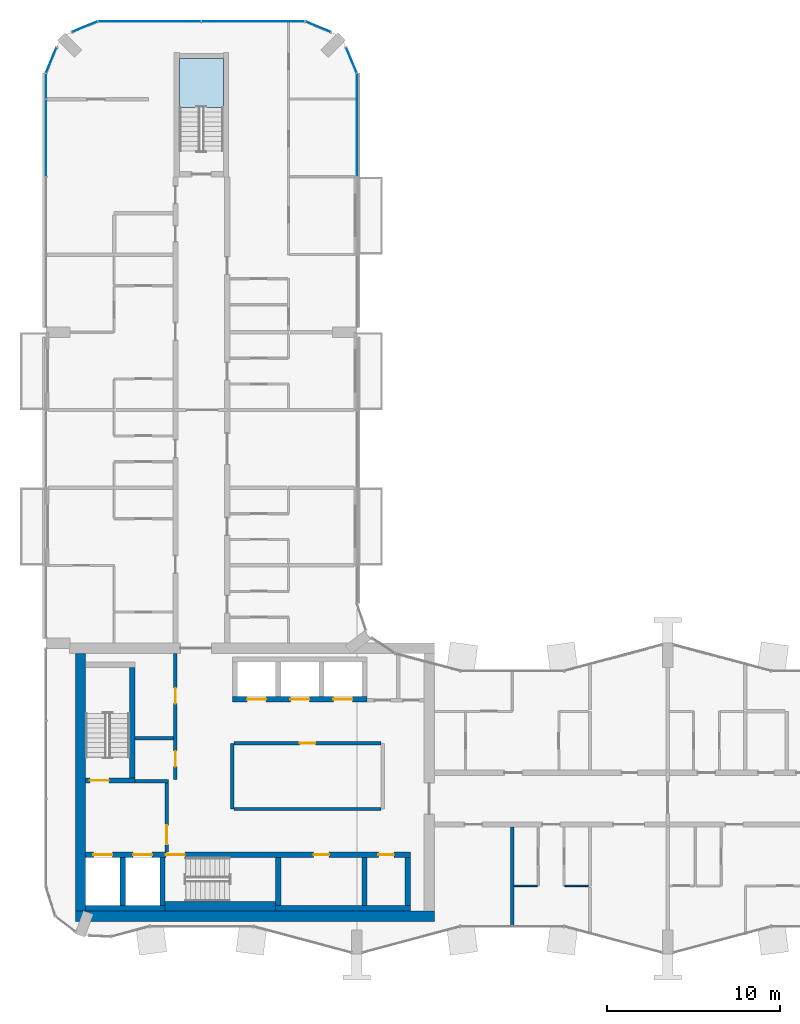
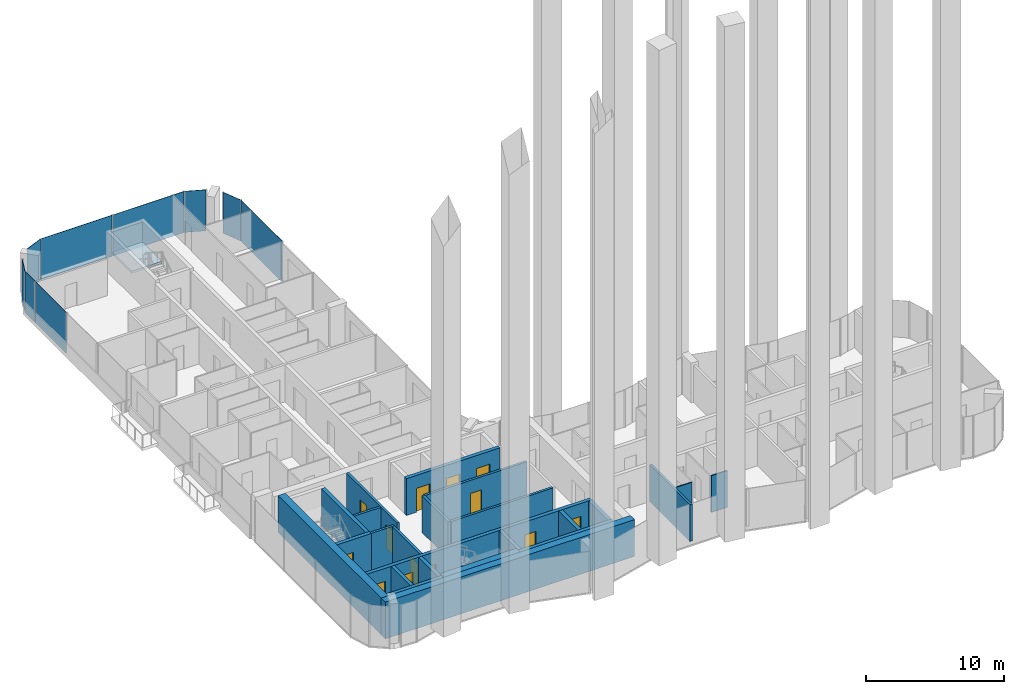
# One storey, part 9 of 18: 24 walls, 13 doors, 9 plates, 1 slab, 13 openings, 8 elements without a shape of their own.
"""IFC4 building model written with IfcOpenShell, lengths in metres."""

import ifcopenshell
import ifcopenshell.guid

model = None  # the IFC model being written
_history = None  # IfcOwnerHistory: only IFC2X3 demands one
_inside = {}  # id of a spatial element -> (the spatial element, [elements in it])
_under = {}  # id of a project, library or spatial element -> (it, [spatial elements below it])
_declared = {}  # id of a project -> (the project, [libraries it declares])
_typed = {}  # id of a type object -> (the type object, [elements of that type])
_made_of = {}  # id of a material, layer set ... -> (it, [elements and type objects made of it])


def new_model(schema):
    """Start an empty IFC model of exactly this schema.

    Asked for "IFC4X3", IfcOpenShell would pick the latest addendum, in which some entities
    have other attributes; the version numbers below select the first issue.
    IFC2X3 requires an IfcOwnerHistory on every rooted entity: one is made here for all.
    """
    global model, _history
    if schema == "IFC4X3":
        model = ifcopenshell.file(schema_version=(4, 3, 0, 0))
    else:
        model = ifcopenshell.file(schema=schema)
    _inside.clear()
    _under.clear()
    _declared.clear()
    _typed.clear()
    _made_of.clear()
    _history = None
    if model.schema == "IFC2X3":
        org = make("IfcOrganization", Name="unknown")
        user = make(
            "IfcPersonAndOrganization",
            ThePerson=make("IfcPerson", FamilyName="unknown"),
            TheOrganization=org,
        )
        app = make(
            "IfcApplication",
            ApplicationDeveloper=org,
            Version="unknown",
            ApplicationFullName="unknown",
            ApplicationIdentifier="unknown",
        )
        _history = make(
            "IfcOwnerHistory",
            OwningUser=user,
            OwningApplication=app,
            ChangeAction="ADDED",
            CreationDate=0,
        )
    return model


def make(cls, **values):
    """One entity of the class cls with the attributes given. An attribute that is None is left unset."""
    return model.create_entity(
        cls, **{name: value for name, value in values.items() if value is not None}
    )


def rooted(cls, **values):
    """An entity with a GlobalId (a new one), such as an element, a storey or a relation."""
    return make(cls, GlobalId=ifcopenshell.guid.new(), OwnerHistory=_history, **values)


def si_unit(unit_type, name, prefix=None):
    """IfcSIUnit, for example si_unit("LENGTHUNIT", "METRE", prefix="MILLI")."""
    return make("IfcSIUnit", UnitType=unit_type, Prefix=prefix, Name=name)


def assignment(units):
    """IfcUnitAssignment: the units of a project."""
    return None if units is None else make("IfcUnitAssignment", Units=units)


def point(xyz):
    """IfcCartesianPoint."""
    return None if xyz is None else make("IfcCartesianPoint", Coordinates=xyz)


def direction(xyz):
    """IfcDirection."""
    return None if xyz is None else make("IfcDirection", DirectionRatios=xyz)


def frame(location, z_axis=None, x_axis=None):
    """IfcAxis2Placement3D, a coordinate frame: its origin and axes. An axis left out is left unset."""
    return make(
        "IfcAxis2Placement3D",
        Location=point(location),
        Axis=direction(z_axis),
        RefDirection=direction(x_axis),
    )


def frame_2d(location, x_axis=None):
    """IfcAxis2Placement2D, a coordinate frame in the plane: its origin and x axis."""
    return make(
        "IfcAxis2Placement2D", Location=point(location), RefDirection=direction(x_axis)
    )


def origin():
    """The frame at (0, 0, 0) with its axes left unset."""
    return frame((0.0, 0.0, 0.0))


def origin_2d():
    """The frame at (0, 0) in the plane with its x axis left unset."""
    return frame_2d((0.0, 0.0))


def place(relative_to, where):
    """IfcLocalPlacement: puts the frame where relative to a parent placement (None: the world)."""
    return make(
        "IfcLocalPlacement", PlacementRelTo=relative_to, RelativePlacement=where
    )


def context(
    kind, dimensions, precision=None, world=None, true_north=None, identifier=None
):
    """IfcGeometricRepresentationContext, for example the 3D "Model" context."""
    return make(
        "IfcGeometricRepresentationContext",
        ContextIdentifier=identifier,
        ContextType=kind,
        CoordinateSpaceDimension=dimensions,
        Precision=precision,
        WorldCoordinateSystem=world,
        TrueNorth=true_north,
    )


def subcontext(parent, identifier, kind, view, scale=None):
    """IfcGeometricRepresentationSubContext, for example "Body" below "Model"."""
    return make(
        "IfcGeometricRepresentationSubContext",
        ContextIdentifier=identifier,
        ContextType=kind,
        ParentContext=parent,
        TargetScale=scale,
        TargetView=view,
    )


def project(units=None, contexts=None):
    """IfcProject with its units and contexts."""
    return rooted(
        "IfcProject",
        Name="project",
        RepresentationContexts=contexts,
        UnitsInContext=assignment(units),
    )


def spatial(cls, under=None, at=None, **own):
    """A site, building, storey or space (cls), placed at a placement, below another one or the project."""
    s = rooted(cls, ObjectPlacement=at, **own)
    if under is not None:
        _under.setdefault(under.id(), (under, []))[1].append(s)
    return s


def polyline(points):
    """IfcPolyline through the points."""
    return make("IfcPolyline", Points=[point(p) for p in points])


def profile(cls, at=None, kind="AREA", **sizes):
    """A parametric profile (cls). Its sizes go by their IFC names, for example OverallWidth=200.0."""
    return make(cls, ProfileType=kind, Position=at, **sizes)


def rectangle(**sizes):
    """IfcRectangleProfileDef."""
    return profile("IfcRectangleProfileDef", **sizes)


def outline(outer, holes=None, kind="AREA"):
    """IfcArbitraryClosedProfileDef: a profile drawn as a closed curve; with holes, ...WithVoids."""
    if holes is None:
        return make("IfcArbitraryClosedProfileDef", ProfileType=kind, OuterCurve=outer)
    return make(
        "IfcArbitraryProfileDefWithVoids",
        ProfileType=kind,
        OuterCurve=outer,
        InnerCurves=holes,
    )


def extrude(swept, where, along, depth):
    """IfcExtrudedAreaSolid: the profile swept, set in the frame where, extruded along a direction by depth."""
    return make(
        "IfcExtrudedAreaSolid",
        SweptArea=swept,
        Position=where,
        ExtrudedDirection=direction(along),
        Depth=depth,
    )


def shape(context_of_items, identifier, shape_type, items):
    """IfcShapeRepresentation: the items that make up one representation, for example the "Body"."""
    return make(
        "IfcShapeRepresentation",
        ContextOfItems=context_of_items,
        RepresentationIdentifier=identifier,
        RepresentationType=shape_type,
        Items=items,
    )


def material(Name=None, Category=None):
    """IfcMaterial."""
    return make("IfcMaterial", Name=Name, Category=Category)


def layer(
    of_material, thickness, ventilated=None, Name=None, Category=None, Priority=None
):
    """IfcMaterialLayer: one layer of a wall or slab, of a material (None: an air gap)."""
    return make(
        "IfcMaterialLayer",
        Material=of_material,
        LayerThickness=thickness,
        IsVentilated=ventilated,
        Name=Name,
        Category=Category,
        Priority=Priority,
    )


def layer_set(layers, Name=None):
    """IfcMaterialLayerSet."""
    return make("IfcMaterialLayerSet", MaterialLayers=layers, LayerSetName=Name)


def made_of(thing, what):
    """Note that an element or type object is made of a material, layer set ...; save() writes the relation."""
    if what is not None:
        _made_of.setdefault(what.id(), (what, []))[1].append(thing)
    return thing


def type_object(cls, material=None, **own):
    """A type object (cls), such as IfcWallType, which elements share."""
    return made_of(rooted(cls, **own), material)


def element(
    cls,
    number,
    at=None,
    inside=None,
    cuts=None,
    type_object=None,
    material=None,
    context=None,
    identifier="Body",
    shape_type=None,
    held_by="IfcProductDefinitionShape",
    body=None,
    shapes=None,
    **own,
):
    """One element of the class cls, such as IfcWall. Its Tag is "e" and its number.

    at: its placement. inside: the storey or other place that contains it. cuts: it is an
    opening in that element (IfcRelVoidsElement). A single representation is given by context,
    identifier, shape_type and body (its items); several are given by shapes. held_by: the class
    of the entity that holds the representations. save() writes the other relations.
    """
    e = rooted(cls, Tag="e%d" % number, ObjectPlacement=at, **own)
    if body is not None:
        shapes = [shape(context, identifier, shape_type, body)]
    if shapes is not None:
        e.Representation = make(held_by, Representations=shapes)
    if inside is not None:
        _inside.setdefault(inside.id(), (inside, []))[1].append(e)
    if cuts is not None:
        rooted(
            "IfcRelVoidsElement", RelatingBuildingElement=cuts, RelatedOpeningElement=e
        )
    if type_object is not None:
        _typed.setdefault(type_object.id(), (type_object, []))[1].append(e)
    return made_of(e, material)


def fill(opening, filler):
    """IfcRelFillsElement: the door or window that sits in an opening."""
    return rooted(
        "IfcRelFillsElement",
        RelatingOpeningElement=opening,
        RelatedBuildingElement=filler,
    )


def aggregate(whole, parts):
    """IfcRelAggregates: a whole, such as a stair, and the parts it consists of."""
    return rooted("IfcRelAggregates", RelatingObject=whole, RelatedObjects=parts)


def save(model, path):
    """Write the relations noted so far, then the file.

    IfcRelAggregates (storeys below a building ...), IfcRelContainedInSpatialStructure (elements
    in a storey), IfcRelDefinesByType, IfcRelAssociatesMaterial and IfcRelDeclares: one each for
    every whole, place, type object, material and project.
    """
    for whole, parts in _under.values():
        aggregate(whole, parts)
    for where, things in _inside.values():
        rooted(
            "IfcRelContainedInSpatialStructure",
            RelatedElements=things,
            RelatingStructure=where,
        )
    for kind, things in _typed.values():
        rooted("IfcRelDefinesByType", RelatedObjects=things, RelatingType=kind)
    for what, things in _made_of.values():
        rooted("IfcRelAssociatesMaterial", RelatedObjects=things, RelatingMaterial=what)
    for by, libraries in _declared.values():
        rooted("IfcRelDeclares", RelatingContext=by, RelatedDefinitions=libraries)
    model.write(path)


model = new_model("IFC4")

# Units and contexts
model_context = context("Model", 3, precision=1e-05, world=origin(), true_north=direction((0.0, 1.0)))
body_context = subcontext(model_context, "Body", "Model", "MODEL_VIEW")
ifc_project = project(units=[si_unit("LENGTHUNIT", "METRE"), si_unit("AREAUNIT", "SQUARE_METRE"), si_unit("VOLUMEUNIT", "CUBIC_METRE"), si_unit("PLANEANGLEUNIT", "RADIAN"), si_unit("MASSUNIT", "GRAM", prefix="KILO")], contexts=[model_context])

# Site, building, storey
site_placement = place(None, origin())
site = spatial("IfcSite", under=ifc_project, at=site_placement, CompositionType="ELEMENT")
building_placement = place(site_placement, origin())
building = spatial("IfcBuilding", under=site, at=building_placement, Name="Plateau Cross Towers", CompositionType="ELEMENT")
storey_placement = place(building_placement, frame((0.0, 0.0, 139.39990234375)))
storey = spatial("IfcBuildingStorey", under=building, at=storey_placement, Name="L35", CompositionType="ELEMENT", Elevation=139.39990234375)

# Curtain wall, plate
ifc_material_1 = material(Name="Dark low-iron glass", Category="glass")
ifc_layer_1 = layer(ifc_material_1, 0.239990234375)
ifc_layer_set_1 = layer_set([ifc_layer_1], Name="Dark low-iron glass")
curtain_wall_type = type_object("IfcCurtainWallType", Name="Curtain wall flush unitised CW-B", PredefinedType="NOTDEFINED", material=ifc_layer_set_1)
curtain_wall_1_placement = place(storey_placement, origin())
curtain_wall_1 = element("IfcCurtainWall", 1, at=curtain_wall_1_placement, inside=storey, type_object=curtain_wall_type, Name="ENV/A/L35/A180_450", PredefinedType="NOTDEFINED")
ifc_layer_2 = layer(ifc_material_1, 0.031982421875)
ifc_layer_set_2 = layer_set([ifc_layer_2], Name="Dark low-iron glass")
plate_type = type_object("IfcPlateType", Name="Glass panel 32 flush unitised", PredefinedType="CURTAIN_PANEL", material=ifc_layer_set_2)
plate_1_placement = place(storey_placement, frame((18.0, 48.0048828125, -0.3798828125), z_axis=(0.0, 0.0, 1.0), x_axis=(0.0, 1.0, 0.0)))
plate_1 = element("IfcPlate", 2, at=plate_1_placement, type_object=plate_type, Name="CW-B panel 1", PredefinedType="CURTAIN_PANEL", context=body_context, shape_type="SweptSolid", body=[
    extrude(rectangle(XDim=5.929931640625, YDim=0.031982421875, at=origin_2d()), origin(), (0.0, 0.0, 1.0), 3.6298828125),
])
aggregate(curtain_wall_1, [plate_1])

curtain_wall_2_placement = place(storey_placement, origin())
curtain_wall_2 = element("IfcCurtainWall", 3, at=curtain_wall_2_placement, inside=storey, type_object=curtain_wall_type, Name="ENV/A/L35/A180_510", PredefinedType="NOTDEFINED")
plate_2_placement = place(storey_placement, frame((17.688232421875, 51.7529296875, -0.3798828125), z_axis=(0.0, 0.0, 1.0), x_axis=(-0.382683612978, 0.923879457699, 0.0)))
plate_2 = element("IfcPlate", 4, at=plate_2_placement, type_object=plate_type, Name="CW-B panel 1", PredefinedType="CURTAIN_PANEL", context=body_context, shape_type="SweptSolid", body=[
    extrude(rectangle(XDim=1.570068359375, YDim=0.031982421875, at=origin_2d()), origin(), (0.0, 0.0, 1.0), 3.6298828125),
])
aggregate(curtain_wall_2, [plate_2])

curtain_wall_3_placement = place(storey_placement, origin())
curtain_wall_3 = element("IfcCurtainWall", 5, at=curtain_wall_3_placement, inside=storey, type_object=curtain_wall_type, Name="ENV/A/L35/A165_534", PredefinedType="NOTDEFINED")
plate_3_placement = place(storey_placement, frame((15.7529296875, 53.688232421875, -0.3798828125), z_axis=(0.0, 0.0, 1.0), x_axis=(-0.923879457699, 0.382683612978, 0.0)))
plate_3 = element("IfcPlate", 6, at=plate_3_placement, type_object=plate_type, Name="CW-B panel 1", PredefinedType="CURTAIN_PANEL", context=body_context, shape_type="SweptSolid", body=[
    extrude(rectangle(XDim=1.570068359375, YDim=0.031982421875, at=origin_2d()), origin(), (0.0, 0.0, 1.0), 3.6298828125),
])
aggregate(curtain_wall_3, [plate_3])

# Curtain wall, plates
curtain_wall_4_placement = place(storey_placement, origin())
curtain_wall_4 = element("IfcCurtainWall", 7, at=curtain_wall_4_placement, inside=storey, type_object=curtain_wall_type, Name="ENV/A/L35/A150_540", PredefinedType="NOTDEFINED")
plate_4_placement = place(storey_placement, frame((12.0, 54.0, -0.3798828125), z_axis=(0.0, 0.0, 1.0), x_axis=(-1.0, 0.0, 0.0)))
plate_4 = element("IfcPlate", 8, at=plate_4_placement, type_object=plate_type, Name="CW-B panel 1", PredefinedType="CURTAIN_PANEL", context=body_context, shape_type="SweptSolid", body=[
    extrude(rectangle(XDim=5.93994140625, YDim=0.031982421875, at=origin_2d()), origin(), (0.0, 0.0, 1.0), 3.6298828125),
])
plate_5_placement = place(storey_placement, frame((6.0, 54.0, -0.3798828125), z_axis=(0.0, 0.0, 1.0), x_axis=(-1.0, 0.0, 0.0)))
plate_5 = element("IfcPlate", 9, at=plate_5_placement, type_object=plate_type, Name="CW-B panel 2", PredefinedType="CURTAIN_PANEL", context=body_context, shape_type="SweptSolid", body=[
    extrude(rectangle(XDim=5.93994140625, YDim=0.031982421875, at=origin_2d()), origin(), (0.0, 0.0, 1.0), 3.6298828125),
])
aggregate(curtain_wall_4, [plate_4, plate_5])

# Curtain wall, plate
curtain_wall_5_placement = place(storey_placement, origin())
curtain_wall_5 = element("IfcCurtainWall", 10, at=curtain_wall_5_placement, inside=storey, type_object=curtain_wall_type, Name="ENV/A/L35/A30_540", PredefinedType="NOTDEFINED")
plate_6_placement = place(storey_placement, frame((2.2470703125, 53.688232421875, -0.3798828125), z_axis=(0.0, 0.0, 1.0), x_axis=(-0.923879457699, -0.382683612978, 0.0)))
plate_6 = element("IfcPlate", 11, at=plate_6_placement, type_object=plate_type, Name="CW-B panel 1", PredefinedType="CURTAIN_PANEL", context=body_context, shape_type="SweptSolid", body=[
    extrude(rectangle(XDim=1.570068359375, YDim=0.031982421875, at=origin_2d()), origin(), (0.0, 0.0, 1.0), 3.6298828125),
])
aggregate(curtain_wall_5, [plate_6])

curtain_wall_6_placement = place(storey_placement, origin())
curtain_wall_6 = element("IfcCurtainWall", 12, at=curtain_wall_6_placement, inside=storey, type_object=curtain_wall_type, Name="ENV/A/L35/A6_525", PredefinedType="NOTDEFINED")
plate_7_placement = place(storey_placement, frame((0.311767578125, 51.7529296875, -0.3798828125), z_axis=(0.0, 0.0, 1.0), x_axis=(-0.382683612978, -0.923879457699, 0.0)))
plate_7 = element("IfcPlate", 13, at=plate_7_placement, type_object=plate_type, Name="CW-B panel 1", PredefinedType="CURTAIN_PANEL", context=body_context, shape_type="SweptSolid", body=[
    extrude(rectangle(XDim=1.570068359375, YDim=0.031982421875, at=origin_2d()), origin(), (0.0, 0.0, 1.0), 3.6298828125),
])
aggregate(curtain_wall_6, [plate_7])

# Curtain wall, plates
curtain_wall_7_placement = place(storey_placement, origin())
curtain_wall_7 = element("IfcCurtainWall", 14, at=curtain_wall_7_placement, inside=storey, type_object=curtain_wall_type, Name="ENV/A/L35/A0_510", PredefinedType="NOTDEFINED")
plate_8_placement = place(storey_placement, frame((0.0, 50.25, -0.3798828125), z_axis=(0.0, 0.0, 1.0), x_axis=(0.0, -1.0, 0.0)))
plate_8 = element("IfcPlate", 15, at=plate_8_placement, type_object=plate_type, Name="CW-B panel 1", PredefinedType="CURTAIN_PANEL", context=body_context, shape_type="SweptSolid", body=[
    extrude(rectangle(XDim=1.43994140625, YDim=0.031982421875, at=origin_2d()), origin(), (0.0, 0.0, 1.0), 3.6298828125),
])
plate_9_placement = place(storey_placement, frame((0.0, 47.25, -0.3798828125), z_axis=(0.0, 0.0, 1.0), x_axis=(0.0, -1.0, 0.0)))
plate_9 = element("IfcPlate", 16, at=plate_9_placement, type_object=plate_type, Name="CW-B panel 2", PredefinedType="CURTAIN_PANEL", context=body_context, shape_type="SweptSolid", body=[
    extrude(rectangle(XDim=4.43994140625, YDim=0.031982421875, at=origin_2d()), origin(), (0.0, 0.0, 1.0), 3.6298828125),
])
aggregate(curtain_wall_7, [plate_8, plate_9])

# Stair, slab
ifc_material_2 = material(Name="Concrete C40/50", Category="concrete")
stair_type = type_object("IfcStairType", Name="ST-TWR", PredefinedType="HALF_TURN_STAIR", material=ifc_material_2)
stair_placement = place(storey_placement, origin())
stair = element("IfcStair", 17, at=stair_placement, inside=storey, type_object=stair_type, Name="L35 Protected Exit Stair N", PredefinedType="HALF_TURN_STAIR")
ifc_layer_3 = layer(ifc_material_2, 0.199951171875)
ifc_layer_set_3 = layer_set([ifc_layer_3], Name="Concrete C40/50")
slab_type = type_object("IfcSlabType", Name="SL-LANDING", PredefinedType="LANDING", material=ifc_layer_set_3)
slab_placement = place(storey_placement, frame((0.0, 0.0, 1.550048828125)))
slab = element("IfcSlab", 18, at=slab_placement, type_object=slab_type, Name="ES-N landing 1", PredefinedType="LANDING", context=body_context, shape_type="SweptSolid", body=[
    extrude(outline(polyline([(10.27490234375, 49.02001953125), (10.27490234375, 51.85009765625), (7.72509765625, 51.85009765625), (7.72509765625, 49.02001953125), (10.27490234375, 49.02001953125)])), origin(), (0.0, 0.0, 1.0), 0.199951171875),
])
aggregate(stair, [slab])

# Wall, opening, door
ifc_material_3 = material(Name="Concrete block, plastered both sides", Category="concrete")
ifc_layer_4 = layer(ifc_material_3, 0.199951171875)
ifc_layer_set_4 = layer_set([ifc_layer_4], Name="Concrete block, plastered both sides")
wall_type_1 = type_object("IfcWallType", Name="Core partition 200", PredefinedType="PARTITIONING", material=ifc_layer_set_4)
wall_1_placement = place(storey_placement, frame((7.0, 5.89990234375, 0.0), z_axis=(0.0, 0.0, 1.0), x_axis=(0.0, 1.0, 0.0)))
wall_1 = element("IfcWall", 19, at=wall_1_placement, inside=storey, type_object=wall_type_1, Name="Core partition", PredefinedType="PARTITIONING", context=body_context, shape_type="SweptSolid", body=[
    extrude(rectangle(XDim=4.0, YDim=0.199951171875, at=frame_2d((2.0, 0.0))), origin(), (0.0, 0.0, 1.0), 3.25),
])
opening_1_placement = place(wall_1_placement, frame((0.449951171875, 0.0, 0.0)))
opening_1 = element("IfcOpeningElement", 20, at=opening_1_placement, cuts=wall_1, Name="Opening FFD", PredefinedType="OPENING", context=body_context, shape_type="SweptSolid", body=[
    extrude(rectangle(XDim=1.10009765625, YDim=2.10009765625, at=frame_2d((0.550048828125, 1.050048828125))), frame((0.0, 0.10986328125, 0.0), z_axis=(0.0, -1.0, 0.0), x_axis=(1.0, 0.0, 0.0)), (0.0, 0.0, 1.0), 0.219970703125),
])
ifc_material_4 = material(Name="Steel, fire-resisting leaf", Category="steel")
door_type_1 = type_object("IfcDoorType", Name="Firefighting lobby door 1100", OperationType="NOTDEFINED", PredefinedType="DOOR", material=ifc_material_4)
door_1_placement = place(opening_1_placement, origin())
door_1 = element("IfcDoor", 21, at=door_1_placement, inside=storey, type_object=door_type_1, Name="Firefighting lobby door FFD", OperationType="SINGLE_SWING_LEFT", OverallHeight=2.10009765625, OverallWidth=1.10009765625, PredefinedType="DOOR", context=body_context, shape_type="SweptSolid", body=[
    extrude(rectangle(XDim=1.10009765625, YDim=2.10009765625, at=frame_2d((0.550048828125, 1.050048828125))), frame((0.0, 0.02490234375, 0.0), z_axis=(0.0, -1.0, 0.0), x_axis=(1.0, 0.0, 0.0)), (0.0, 0.0, 1.0), 0.050048828125),
])
fill(opening_1, door_1)

# Walls
wall_2_placement = place(storey_placement, frame((5.14990234375, 10.0, 0.0), z_axis=(0.0, 0.0, 1.0), x_axis=(1.0, 0.0, 0.0)))
element("IfcWall", 22, at=wall_2_placement, inside=storey, type_object=wall_type_1, Name="Core partition", PredefinedType="PARTITIONING", context=body_context, shape_type="SweptSolid", body=[
    extrude(rectangle(XDim=1.9501953125, YDim=0.199951171875, at=frame_2d((0.97509765625, 0.0))), origin(), (0.0, 0.0, 1.0), 3.25),
])
wall_3_placement = place(storey_placement, frame((10.800048828125, 8.39990234375, 0.0), z_axis=(0.0, 0.0, 1.0), x_axis=(0.0, 1.0, 0.0)))
element("IfcWall", 23, at=wall_3_placement, inside=storey, type_object=wall_type_1, Name="Core partition", PredefinedType="PARTITIONING", context=body_context, shape_type="SweptSolid", body=[
    extrude(rectangle(XDim=3.800048828125, YDim=0.199951171875, at=frame_2d((1.89990234375, 0.0))), origin(), (0.0, 0.0, 1.0), 3.25),
])
wall_4_placement = place(storey_placement, frame((10.89990234375, 8.39990234375, 0.0), z_axis=(0.0, 0.0, 1.0), x_axis=(1.0, 0.0, 0.0)))
element("IfcWall", 24, at=wall_4_placement, inside=storey, type_object=wall_type_1, Name="Core partition", PredefinedType="PARTITIONING", context=body_context, shape_type="SweptSolid", body=[
    extrude(rectangle(XDim=8.5, YDim=0.199951171875, at=frame_2d((4.25, 0.0))), origin(), (0.0, 0.0, 1.0), 3.25),
])

# Wall, opening, door
wall_5_placement = place(storey_placement, frame((10.89990234375, 12.199951171875, 0.0), z_axis=(0.0, 0.0, 1.0), x_axis=(1.0, 0.0, 0.0)))
wall_5 = element("IfcWall", 25, at=wall_5_placement, inside=storey, type_object=wall_type_1, Name="Core partition", PredefinedType="PARTITIONING", context=body_context, shape_type="SweptSolid", body=[
    extrude(rectangle(XDim=8.5, YDim=0.199951171875, at=frame_2d((4.25, 0.0))), origin(), (0.0, 0.0, 1.0), 3.25),
])
opening_2_placement = place(wall_5_placement, frame((3.800048828125, 0.0, 0.0)))
opening_2 = element("IfcOpeningElement", 26, at=opening_2_placement, cuts=wall_5, Name="Opening RD1", PredefinedType="OPENING", context=body_context, shape_type="SweptSolid", body=[
    extrude(rectangle(XDim=0.89990234375, YDim=2.10009765625, at=frame_2d((0.449951171875, 1.050048828125))), frame((0.0, 0.10986328125, 0.0), z_axis=(0.0, -1.0, 0.0), x_axis=(1.0, 0.0, 0.0)), (0.0, 0.0, 1.0), 0.219970703125),
])
ifc_material_5 = material(Name="Timber, fire-resisting leaf", Category="wood")
door_type_2 = type_object("IfcDoorType", Name="Core service door 900", OperationType="NOTDEFINED", PredefinedType="DOOR", material=ifc_material_5)
door_2_placement = place(opening_2_placement, origin())
door_2 = element("IfcDoor", 27, at=door_2_placement, inside=storey, type_object=door_type_2, Name="Core service door RD1", OperationType="SINGLE_SWING_LEFT", OverallHeight=2.10009765625, OverallWidth=0.89990234375, PredefinedType="DOOR", context=body_context, shape_type="SweptSolid", body=[
    extrude(rectangle(XDim=0.89990234375, YDim=2.10009765625, at=frame_2d((0.449951171875, 1.050048828125))), frame((0.0, 0.02490234375, 0.0), z_axis=(0.0, -1.0, 0.0), x_axis=(1.0, 0.0, 0.0)), (0.0, 0.0, 1.0), 0.050048828125),
])
fill(opening_2, door_2)

# Wall, openings, doors
wall_6_placement = place(storey_placement, frame((7.5, 10.10009765625, 0.0), z_axis=(0.0, 0.0, 1.0), x_axis=(0.0, 1.0, 0.0)))
wall_6 = element("IfcWall", 28, at=wall_6_placement, inside=storey, type_object=wall_type_1, Name="Core partition", PredefinedType="PARTITIONING", context=body_context, shape_type="SweptSolid", body=[
    extrude(rectangle(XDim=7.2998046875, YDim=0.199951171875, at=frame_2d((3.64990234375, 0.0))), origin(), (0.0, 0.0, 1.0), 3.25),
])
opening_3_placement = place(wall_6_placement, frame((0.75, 0.0, 0.0)))
opening_3 = element("IfcOpeningElement", 29, at=opening_3_placement, cuts=wall_6, Name="Opening RD1", PredefinedType="OPENING", context=body_context, shape_type="SweptSolid", body=[
    extrude(rectangle(XDim=0.89990234375, YDim=2.10009765625, at=frame_2d((0.449951171875, 1.050048828125))), frame((0.0, 0.10986328125, 0.0), z_axis=(0.0, -1.0, 0.0), x_axis=(1.0, 0.0, 0.0)), (0.0, 0.0, 1.0), 0.219970703125),
])
opening_4_placement = place(wall_6_placement, frame((4.39990234375, 0.0, 0.0)))
opening_4 = element("IfcOpeningElement", 30, at=opening_4_placement, cuts=wall_6, Name="Opening RD1", PredefinedType="OPENING", context=body_context, shape_type="SweptSolid", body=[
    extrude(rectangle(XDim=0.89990234375, YDim=2.10009765625, at=frame_2d((0.449951171875, 1.050048828125))), frame((0.0, 0.10986328125, 0.0), z_axis=(0.0, -1.0, 0.0), x_axis=(1.0, 0.0, 0.0)), (0.0, 0.0, 1.0), 0.219970703125),
])
door_3_placement = place(opening_3_placement, origin())
door_3 = element("IfcDoor", 31, at=door_3_placement, inside=storey, type_object=door_type_2, Name="Core service door RD1", OperationType="SINGLE_SWING_RIGHT", OverallHeight=2.10009765625, OverallWidth=0.89990234375, PredefinedType="DOOR", context=body_context, shape_type="SweptSolid", body=[
    extrude(rectangle(XDim=0.89990234375, YDim=2.10009765625, at=frame_2d((0.449951171875, 1.050048828125))), frame((0.0, 0.02490234375, 0.0), z_axis=(0.0, -1.0, 0.0), x_axis=(1.0, 0.0, 0.0)), (0.0, 0.0, 1.0), 0.050048828125),
])
fill(opening_3, door_3)
door_4_placement = place(opening_4_placement, origin())
door_4 = element("IfcDoor", 32, at=door_4_placement, inside=storey, type_object=door_type_2, Name="Core service door RD1", OperationType="SINGLE_SWING_RIGHT", OverallHeight=2.10009765625, OverallWidth=0.89990234375, PredefinedType="DOOR", context=body_context, shape_type="SweptSolid", body=[
    extrude(rectangle(XDim=0.89990234375, YDim=2.10009765625, at=frame_2d((0.449951171875, 1.050048828125))), frame((0.0, 0.02490234375, 0.0), z_axis=(0.0, -1.0, 0.0), x_axis=(1.0, 0.0, 0.0)), (0.0, 0.0, 1.0), 0.050048828125),
])
fill(opening_4, door_4)

# Walls
wall_7_placement = place(storey_placement, frame((5.14990234375, 12.5, 0.0), z_axis=(0.0, 0.0, 1.0), x_axis=(1.0, 0.0, 0.0)))
element("IfcWall", 33, at=wall_7_placement, inside=storey, type_object=wall_type_1, Name="Core partition", PredefinedType="PARTITIONING", context=body_context, shape_type="SweptSolid", body=[
    extrude(rectangle(XDim=2.25, YDim=0.199951171875, at=frame_2d((1.125, 0.0))), origin(), (0.0, 0.0, 1.0), 3.25),
])
ifc_material_6 = material(Name="Concrete C60/75", Category="concrete")
ifc_layer_5 = layer(ifc_material_6, 0.300048828125)
ifc_layer_set_5 = layer_set([ifc_layer_5], Name="Concrete C60/75")
wall_type_2 = type_object("IfcWallType", Name="Core shaft wall 300", PredefinedType="SHEAR", material=ifc_layer_set_5)
wall_8_placement = place(storey_placement, frame((2.300048828125, 2.64990234375, 0.0), z_axis=(0.0, 0.0, 1.0), x_axis=(1.0, 0.0, 0.0)))
element("IfcWall", 34, at=wall_8_placement, inside=storey, type_object=wall_type_2, Name="A-sb-back1@L35", PredefinedType="SHEAR", context=body_context, shape_type="SweptSolid", body=[
    extrude(rectangle(XDim=4.599853515625, YDim=0.300048828125, at=frame_2d((2.2998046875, 0.0))), origin(), (0.0, 0.0, 1.0), 3.25),
])
wall_9_placement = place(storey_placement, frame((13.300048828125, 2.64990234375, 0.0), z_axis=(0.0, 0.0, 1.0), x_axis=(1.0, 0.0, 0.0)))
element("IfcWall", 35, at=wall_9_placement, inside=storey, type_object=wall_type_2, Name="A-sb-back3@L35", PredefinedType="SHEAR", context=body_context, shape_type="SweptSolid", body=[
    extrude(rectangle(XDim=7.800048828125, YDim=0.300048828125, at=frame_2d((3.89990234375, 0.0))), origin(), (0.0, 0.0, 1.0), 3.25),
])
for number, where, z_axis, x_axis, name in (
    (36, (4.449951171875, 2.800048828125, 0.0), (0.0, 0.0, 1.0), (0.0, 1.0, 0.0), "A-sb-v1@L35"),
    (37, (6.75, 2.800048828125, 0.0), (0.0, 0.0, 1.0), (0.0, 1.0, 0.0), "A-sb-v2@L35"),
    (38, (13.449951171875, 2.800048828125, 0.0), (0.0, 0.0, 1.0), (0.0, 1.0, 0.0), "A-sb-v3@L35"),
    (39, (18.449951171875, 2.800048828125, 0.0), (0.0, 0.0, 1.0), (0.0, 1.0, 0.0), "A-sb-v5@L35"),
    (40, (20.949951171875, 2.800048828125, 0.0), (0.0, 0.0, 1.0), (0.0, 1.0, 0.0), "A-sb-v6@L35"),
):
    element("IfcWall", number, at=place(storey_placement, frame(where, z_axis=z_axis, x_axis=x_axis)), inside=storey, type_object=wall_type_2, Name=name, PredefinedType="SHEAR", context=body_context, shape_type="SweptSolid", body=[
        extrude(rectangle(XDim=2.800048828125, YDim=0.300048828125, at=frame_2d((1.39990234375, 0.0))), origin(), (0.0, 0.0, 1.0), 3.25),
    ])

# Wall, openings, doors
wall_10_placement = place(storey_placement, frame((2.300048828125, 5.75, 0.0), z_axis=(0.0, 0.0, 1.0), x_axis=(1.0, 0.0, 0.0)))
wall_10 = element("IfcWall", 41, at=wall_10_placement, inside=storey, type_object=wall_type_2, Name="A-sb-front@L35", PredefinedType="SHEAR", context=body_context, shape_type="SweptSolid", body=[
    extrude(rectangle(XDim=18.800048828125, YDim=0.300048828125, at=frame_2d((9.39990234375, 0.0))), origin(), (0.0, 0.0, 1.0), 3.25),
])
opening_5_placement = place(wall_10_placement, frame((4.64990234375, 0.0, 0.0)))
opening_5 = element("IfcOpeningElement", 42, at=opening_5_placement, cuts=wall_10, Name="Opening SD", PredefinedType="OPENING", context=body_context, shape_type="SweptSolid", body=[
    extrude(rectangle(XDim=1.10009765625, YDim=2.10009765625, at=frame_2d((0.550048828125, 1.050048828125))), frame((0.0, 0.159912109375, 0.0), z_axis=(0.0, -1.0, 0.0), x_axis=(1.0, 0.0, 0.0)), (0.0, 0.0, 1.0), 0.320068359375),
])
opening_6_placement = place(wall_10_placement, frame((0.449951171875, 0.0, 0.0)))
opening_6 = element("IfcOpeningElement", 43, at=opening_6_placement, cuts=wall_10, Name="Opening LD", PredefinedType="OPENING", context=body_context, shape_type="SweptSolid", body=[
    extrude(rectangle(XDim=1.10009765625, YDim=2.10009765625, at=frame_2d((0.550048828125, 1.050048828125))), frame((0.0, 0.159912109375, 0.0), z_axis=(0.0, -1.0, 0.0), x_axis=(1.0, 0.0, 0.0)), (0.0, 0.0, 1.0), 0.320068359375),
])
opening_7_placement = place(wall_10_placement, frame((2.75, 0.0, 0.0)))
opening_7 = element("IfcOpeningElement", 44, at=opening_7_placement, cuts=wall_10, Name="Opening LD", PredefinedType="OPENING", context=body_context, shape_type="SweptSolid", body=[
    extrude(rectangle(XDim=1.10009765625, YDim=2.10009765625, at=frame_2d((0.550048828125, 1.050048828125))), frame((0.0, 0.159912109375, 0.0), z_axis=(0.0, -1.0, 0.0), x_axis=(1.0, 0.0, 0.0)), (0.0, 0.0, 1.0), 0.320068359375),
])
opening_8_placement = place(wall_10_placement, frame((13.199951171875, 0.0, 0.0)))
opening_8 = element("IfcOpeningElement", 45, at=opening_8_placement, cuts=wall_10, Name="Opening RD2", PredefinedType="OPENING", context=body_context, shape_type="SweptSolid", body=[
    extrude(rectangle(XDim=0.89990234375, YDim=2.10009765625, at=frame_2d((0.449951171875, 1.050048828125))), frame((0.0, 0.159912109375, 0.0), z_axis=(0.0, -1.0, 0.0), x_axis=(1.0, 0.0, 0.0)), (0.0, 0.0, 1.0), 0.320068359375),
])
opening_9_placement = place(wall_10_placement, frame((16.949951171875, 0.0, 0.0)))
opening_9 = element("IfcOpeningElement", 46, at=opening_9_placement, cuts=wall_10, Name="Opening RD2", PredefinedType="OPENING", context=body_context, shape_type="SweptSolid", body=[
    extrude(rectangle(XDim=0.89990234375, YDim=2.10009765625, at=frame_2d((0.449951171875, 1.050048828125))), frame((0.0, 0.159912109375, 0.0), z_axis=(0.0, -1.0, 0.0), x_axis=(1.0, 0.0, 0.0)), (0.0, 0.0, 1.0), 0.320068359375),
])
door_type_3 = type_object("IfcDoorType", Name="Core riser door 900", OperationType="NOTDEFINED", PredefinedType="DOOR", material=ifc_material_4)
door_5_placement = place(opening_8_placement, origin())
door_5 = element("IfcDoor", 47, at=door_5_placement, inside=storey, type_object=door_type_3, Name="Core riser door RD2", OperationType="SINGLE_SWING_LEFT", OverallHeight=2.10009765625, OverallWidth=0.89990234375, PredefinedType="DOOR", context=body_context, shape_type="SweptSolid", body=[
    extrude(rectangle(XDim=0.89990234375, YDim=2.10009765625, at=frame_2d((0.449951171875, 1.050048828125))), frame((0.0, 0.02490234375, 0.0), z_axis=(0.0, -1.0, 0.0), x_axis=(1.0, 0.0, 0.0)), (0.0, 0.0, 1.0), 0.050048828125),
])
fill(opening_8, door_5)
door_6_placement = place(opening_9_placement, origin())
door_6 = element("IfcDoor", 48, at=door_6_placement, inside=storey, type_object=door_type_3, Name="Core riser door RD2", OperationType="SINGLE_SWING_LEFT", OverallHeight=2.10009765625, OverallWidth=0.89990234375, PredefinedType="DOOR", context=body_context, shape_type="SweptSolid", body=[
    extrude(rectangle(XDim=0.89990234375, YDim=2.10009765625, at=frame_2d((0.449951171875, 1.050048828125))), frame((0.0, 0.02490234375, 0.0), z_axis=(0.0, -1.0, 0.0), x_axis=(1.0, 0.0, 0.0)), (0.0, 0.0, 1.0), 0.050048828125),
])
fill(opening_9, door_6)
ifc_material_7 = material(Name="Stainless steel, fire-resisting sliding leaves", Category="steel")
door_type_4 = type_object("IfcDoorType", Name="Lift landing door 1100", OperationType="NOTDEFINED", PredefinedType="DOOR", material=ifc_material_7)
door_7_placement = place(opening_6_placement, origin())
door_7 = element("IfcDoor", 49, at=door_7_placement, inside=storey, type_object=door_type_4, Name="Lift landing door LD", OperationType="DOUBLE_DOOR_SLIDING", OverallHeight=2.10009765625, OverallWidth=1.10009765625, PredefinedType="DOOR", context=body_context, shape_type="SweptSolid", body=[
    extrude(rectangle(XDim=1.10009765625, YDim=2.10009765625, at=frame_2d((0.550048828125, 1.050048828125))), frame((0.0, 0.02490234375, 0.0), z_axis=(0.0, -1.0, 0.0), x_axis=(1.0, 0.0, 0.0)), (0.0, 0.0, 1.0), 0.050048828125),
])
fill(opening_6, door_7)
door_8_placement = place(opening_7_placement, origin())
door_8 = element("IfcDoor", 50, at=door_8_placement, inside=storey, type_object=door_type_4, Name="Lift landing door LD", OperationType="DOUBLE_DOOR_SLIDING", OverallHeight=2.10009765625, OverallWidth=1.10009765625, PredefinedType="DOOR", context=body_context, shape_type="SweptSolid", body=[
    extrude(rectangle(XDim=1.10009765625, YDim=2.10009765625, at=frame_2d((0.550048828125, 1.050048828125))), frame((0.0, 0.02490234375, 0.0), z_axis=(0.0, -1.0, 0.0), x_axis=(1.0, 0.0, 0.0)), (0.0, 0.0, 1.0), 0.050048828125),
])
fill(opening_7, door_8)
door_type_5 = type_object("IfcDoorType", Name="Stair door 1100", OperationType="NOTDEFINED", PredefinedType="DOOR", material=ifc_material_4)
door_9_placement = place(opening_5_placement, origin())
door_9 = element("IfcDoor", 51, at=door_9_placement, inside=storey, type_object=door_type_5, Name="Stair door SD", OperationType="SINGLE_SWING_LEFT", OverallHeight=2.10009765625, OverallWidth=1.10009765625, PredefinedType="DOOR", context=body_context, shape_type="SweptSolid", body=[
    extrude(rectangle(XDim=1.10009765625, YDim=2.10009765625, at=frame_2d((0.550048828125, 1.050048828125))), frame((0.0, 0.02490234375, 0.0), z_axis=(0.0, -1.0, 0.0), x_axis=(1.0, 0.0, 0.0)), (0.0, 0.0, 1.0), 0.050048828125),
])
fill(opening_5, door_9)

# Wall, opening, door
wall_11_placement = place(storey_placement, frame((2.300048828125, 10.050048828125, 0.0), z_axis=(0.0, 0.0, 1.0), x_axis=(1.0, 0.0, 0.0)))
wall_11 = element("IfcWall", 52, at=wall_11_placement, inside=storey, type_object=wall_type_2, Name="A-st1-S@L35", PredefinedType="SHEAR", context=body_context, shape_type="SweptSolid", body=[
    extrude(rectangle(XDim=2.849853515625, YDim=0.300048828125, at=frame_2d((1.4248046875, 0.0))), origin(), (0.0, 0.0, 1.0), 3.25),
])
opening_10_placement = place(wall_11_placement, frame((0.25, 0.0, 0.0)))
opening_10 = element("IfcOpeningElement", 53, at=opening_10_placement, cuts=wall_11, Name="Opening SD", PredefinedType="OPENING", context=body_context, shape_type="SweptSolid", body=[
    extrude(rectangle(XDim=1.10009765625, YDim=2.10009765625, at=frame_2d((0.550048828125, 1.050048828125))), frame((0.0, 0.159912109375, 0.0), z_axis=(0.0, -1.0, 0.0), x_axis=(1.0, 0.0, 0.0)), (0.0, 0.0, 1.0), 0.320068359375),
])
door_10_placement = place(opening_10_placement, origin())
door_10 = element("IfcDoor", 54, at=door_10_placement, inside=storey, type_object=door_type_5, Name="Stair door SD", OperationType="SINGLE_SWING_RIGHT", OverallHeight=2.10009765625, OverallWidth=1.10009765625, PredefinedType="DOOR", context=body_context, shape_type="SweptSolid", body=[
    extrude(rectangle(XDim=1.10009765625, YDim=2.10009765625, at=frame_2d((0.550048828125, 1.050048828125))), frame((0.0, 0.02490234375, 0.0), z_axis=(0.0, -1.0, 0.0), x_axis=(1.0, 0.0, 0.0)), (0.0, 0.0, 1.0), 0.050048828125),
])
fill(opening_10, door_10)

# Wall
wall_12_placement = place(storey_placement, frame((5.0, 10.199951171875, 0.0), z_axis=(0.0, 0.0, 1.0), x_axis=(0.0, 1.0, 0.0)))
element("IfcWall", 55, at=wall_12_placement, inside=storey, type_object=wall_type_2, Name="A-st1-E@L35", PredefinedType="SHEAR", context=body_context, shape_type="SweptSolid", body=[
    extrude(rectangle(XDim=6.400146484375, YDim=0.300048828125, at=frame_2d((3.2001953125, 0.0))), origin(), (0.0, 0.0, 1.0), 3.25),
])

# Wall, openings, doors
wall_13_placement = place(storey_placement, frame((10.800048828125, 14.75, 0.0), z_axis=(0.0, 0.0, 1.0), x_axis=(1.0, 0.0, 0.0)))
wall_13 = element("IfcWall", 56, at=wall_13_placement, inside=storey, type_object=wall_type_2, Name="A-nb-front@L35", PredefinedType="SHEAR", context=body_context, shape_type="SweptSolid", body=[
    extrude(rectangle(XDim=7.800048828125, YDim=0.300048828125, at=frame_2d((3.89990234375, 0.0))), origin(), (0.0, 0.0, 1.0), 3.25),
])
opening_11_placement = place(wall_13_placement, frame((0.85009765625, 0.0, 0.0)))
opening_11 = element("IfcOpeningElement", 57, at=opening_11_placement, cuts=wall_13, Name="Opening LD", PredefinedType="OPENING", context=body_context, shape_type="SweptSolid", body=[
    extrude(rectangle(XDim=1.10009765625, YDim=2.10009765625, at=frame_2d((0.550048828125, 1.050048828125))), frame((0.0, 0.159912109375, 0.0), z_axis=(0.0, -1.0, 0.0), x_axis=(1.0, 0.0, 0.0)), (0.0, 0.0, 1.0), 0.320068359375),
])
opening_12_placement = place(wall_13_placement, frame((3.35009765625, 0.0, 0.0)))
opening_12 = element("IfcOpeningElement", 58, at=opening_12_placement, cuts=wall_13, Name="Opening LD", PredefinedType="OPENING", context=body_context, shape_type="SweptSolid", body=[
    extrude(rectangle(XDim=1.10009765625, YDim=2.10009765625, at=frame_2d((0.550048828125, 1.050048828125))), frame((0.0, 0.159912109375, 0.0), z_axis=(0.0, -1.0, 0.0), x_axis=(1.0, 0.0, 0.0)), (0.0, 0.0, 1.0), 0.320068359375),
])
opening_13_placement = place(wall_13_placement, frame((5.85009765625, 0.0, 0.0)))
opening_13 = element("IfcOpeningElement", 59, at=opening_13_placement, cuts=wall_13, Name="Opening LD", PredefinedType="OPENING", context=body_context, shape_type="SweptSolid", body=[
    extrude(rectangle(XDim=1.10009765625, YDim=2.10009765625, at=frame_2d((0.550048828125, 1.050048828125))), frame((0.0, 0.159912109375, 0.0), z_axis=(0.0, -1.0, 0.0), x_axis=(1.0, 0.0, 0.0)), (0.0, 0.0, 1.0), 0.320068359375),
])
door_11_placement = place(opening_11_placement, origin())
door_11 = element("IfcDoor", 60, at=door_11_placement, inside=storey, type_object=door_type_4, Name="Lift landing door LD", OperationType="DOUBLE_DOOR_SLIDING", OverallHeight=2.10009765625, OverallWidth=1.10009765625, PredefinedType="DOOR", context=body_context, shape_type="SweptSolid", body=[
    extrude(rectangle(XDim=1.10009765625, YDim=2.10009765625, at=frame_2d((0.550048828125, 1.050048828125))), frame((0.0, 0.02490234375, 0.0), z_axis=(0.0, -1.0, 0.0), x_axis=(1.0, 0.0, 0.0)), (0.0, 0.0, 1.0), 0.050048828125),
])
fill(opening_11, door_11)
door_12_placement = place(opening_12_placement, origin())
door_12 = element("IfcDoor", 61, at=door_12_placement, inside=storey, type_object=door_type_4, Name="Lift landing door LD", OperationType="DOUBLE_DOOR_SLIDING", OverallHeight=2.10009765625, OverallWidth=1.10009765625, PredefinedType="DOOR", context=body_context, shape_type="SweptSolid", body=[
    extrude(rectangle(XDim=1.10009765625, YDim=2.10009765625, at=frame_2d((0.550048828125, 1.050048828125))), frame((0.0, 0.02490234375, 0.0), z_axis=(0.0, -1.0, 0.0), x_axis=(1.0, 0.0, 0.0)), (0.0, 0.0, 1.0), 0.050048828125),
])
fill(opening_12, door_12)
door_13_placement = place(opening_13_placement, origin())
door_13 = element("IfcDoor", 62, at=door_13_placement, inside=storey, type_object=door_type_4, Name="Lift landing door LD", OperationType="DOUBLE_DOOR_SLIDING", OverallHeight=2.10009765625, OverallWidth=1.10009765625, PredefinedType="DOOR", context=body_context, shape_type="SweptSolid", body=[
    extrude(rectangle(XDim=1.10009765625, YDim=2.10009765625, at=frame_2d((0.550048828125, 1.050048828125))), frame((0.0, 0.02490234375, 0.0), z_axis=(0.0, -1.0, 0.0), x_axis=(1.0, 0.0, 0.0)), (0.0, 0.0, 1.0), 0.050048828125),
])
fill(opening_13, door_13)

# Walls
ifc_layer_6 = layer(ifc_material_6, 0.550048828125)
ifc_layer_set_6 = layer_set([ifc_layer_6], Name="Concrete C60/75")
wall_type_3 = type_object("IfcWallType", Name="Core shaft wall 550", PredefinedType="SHEAR", material=ifc_layer_set_6)
wall_14_placement = place(storey_placement, frame((6.89990234375, 2.77490234375, 0.0), z_axis=(0.0, 0.0, 1.0), x_axis=(1.0, 0.0, 0.0)))
element("IfcWall", 63, at=wall_14_placement, inside=storey, type_object=wall_type_3, Name="A-sb-back2@L35", PredefinedType="SHEAR", context=body_context, shape_type="SweptSolid", body=[
    extrude(rectangle(XDim=6.400146484375, YDim=0.550048828125, at=frame_2d((3.2001953125, 0.0))), origin(), (0.0, 0.0, 1.0), 3.25),
])
ifc_layer_7 = layer(ifc_material_6, 0.60009765625)
ifc_layer_set_7 = layer_set([ifc_layer_7], Name="Concrete C60/75")
wall_type_4 = type_object("IfcWallType", Name="Core shell wall 600", PredefinedType="SHEAR", material=ifc_layer_set_7)
wall_15_placement = place(storey_placement, frame((1.699951171875, 2.199951171875, 0.0), z_axis=(0.0, 0.0, 1.0), x_axis=(1.0, 0.0, 0.0)))
element("IfcWall", 64, at=wall_15_placement, inside=storey, type_object=wall_type_4, Name="A-core-S@L35", PredefinedType="SHEAR", context=body_context, shape_type="SweptSolid", body=[
    extrude(rectangle(XDim=20.800048828125, YDim=0.60009765625, at=frame_2d((10.39990234375, 0.0))), origin(), (0.0, 0.0, 1.0), 3.25),
])
wall_16_placement = place(storey_placement, frame((2.0, 2.5, 0.0), z_axis=(0.0, 0.0, 1.0), x_axis=(0.0, 1.0, 0.0)))
element("IfcWall", 65, at=wall_16_placement, inside=storey, type_object=wall_type_4, Name="A-core-W@L35", PredefinedType="SHEAR", context=body_context, shape_type="SweptSolid", body=[
    extrude(rectangle(XDim=14.89990234375, YDim=0.60009765625, at=frame_2d((7.449951171875, 0.0))), origin(), (0.0, 0.0, 1.0), 3.25),
])
ifc_material_8 = material(Name="Gypsum board on steel studs", Category="steel")
ifc_layer_8 = layer(ifc_material_8, 0.10009765625)
ifc_layer_set_8 = layer_set([ifc_layer_8], Name="Gypsum board on steel studs")
wall_type_5 = type_object("IfcWallType", Name="Flat partition 100", PredefinedType="PARTITIONING", material=ifc_layer_set_8)
for number, where, z_axis, x_axis, name in (
    (66, (27.10009765625, 3.949951171875, 0.0), (0.0, 0.0, 1.0), (1.0, 0.0, 0.0), "Partition wall"),
    (67, (30.050048828125, 3.949951171875, 0.0), (0.0, 0.0, 1.0), (1.0, 0.0, 0.0), "Partition wall"),
):
    element("IfcWall", number, at=place(storey_placement, frame(where, z_axis=z_axis, x_axis=x_axis)), inside=storey, type_object=wall_type_5, Name=name, PredefinedType="PARTITIONING", context=body_context, shape_type="SweptSolid", body=[
        extrude(rectangle(XDim=1.349853515625, YDim=0.10009765625, at=frame_2d((0.6748046875, 0.0))), origin(), (0.0, 0.0, 1.0), 3.25),
    ])
ifc_material_9 = material(Name="Gypsum board on steel studs, two layers each side", Category="steel")
ifc_layer_9 = layer(ifc_material_9, 0.199951171875)
ifc_layer_set_9 = layer_set([ifc_layer_9], Name="Gypsum board on steel studs, two layers each side")
wall_type_6 = type_object("IfcWallType", Name="Flat party wall 200", PredefinedType="PARTITIONING", material=ifc_layer_set_9)
wall_17_placement = place(storey_placement, frame((27.0, 1.52685546875, 0.0), z_axis=(0.0, 0.0, 1.0), x_axis=(0.0, 1.0, 0.0)))
element("IfcWall", 68, at=wall_17_placement, inside=storey, type_object=wall_type_6, Name="Party wall", PredefinedType="PARTITIONING", context=body_context, shape_type="SweptSolid", body=[
    extrude(rectangle(XDim=5.8232421875, YDim=0.199951171875, at=frame_2d((2.91162109375, 0.0))), origin(), (0.0, 0.0, 1.0), 3.25),
])

save(model, "model.ifc")
